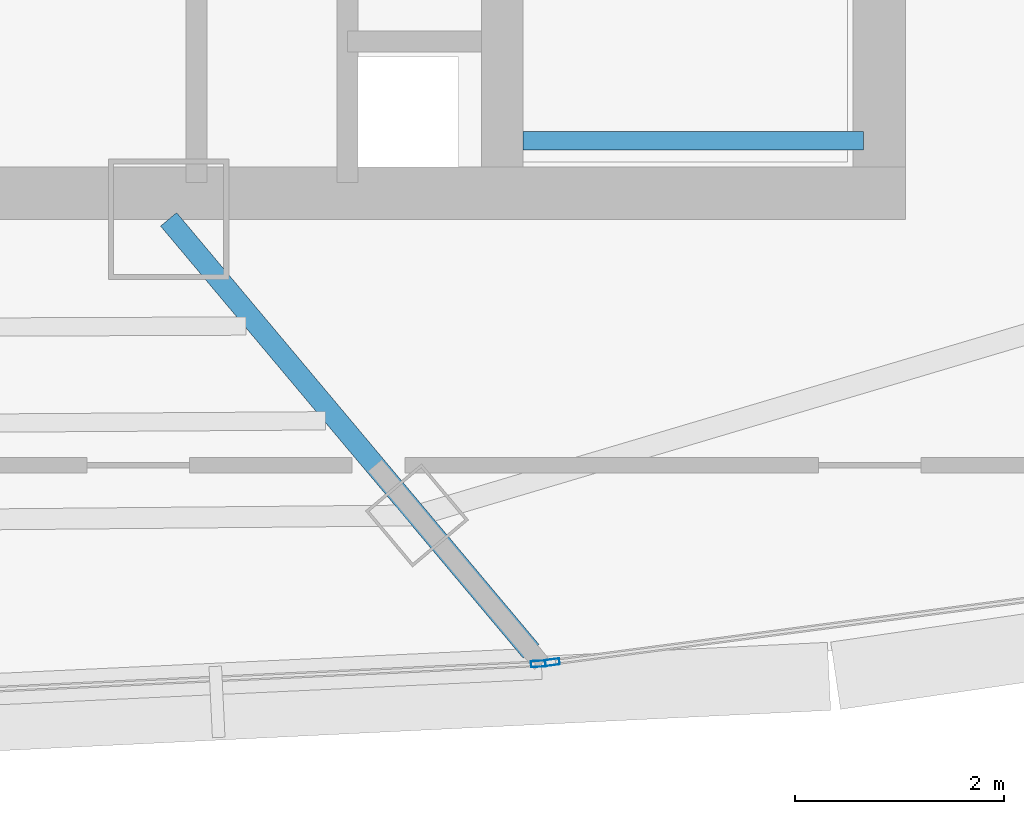
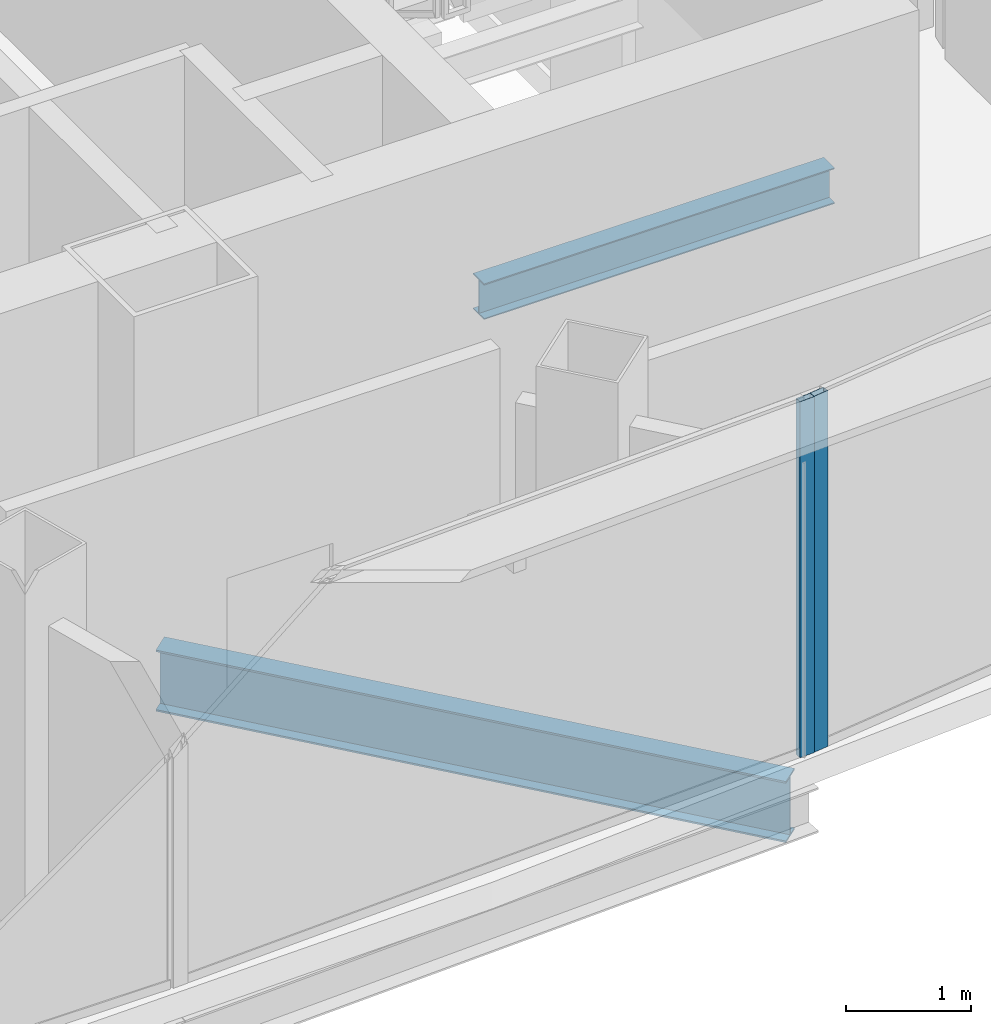
# One storey, part 10 of 29: 2 beams, 2 members, 2 elements without a shape of their own.
"""IFC4 building model written with IfcOpenShell, lengths in metres."""

import ifcopenshell
import ifcopenshell.guid

model = None  # the IFC model being written
_history = None  # IfcOwnerHistory: only IFC2X3 demands one
_inside = {}  # id of a spatial element -> (the spatial element, [elements in it])
_under = {}  # id of a project, library or spatial element -> (it, [spatial elements below it])
_declared = {}  # id of a project -> (the project, [libraries it declares])
_typed = {}  # id of a type object -> (the type object, [elements of that type])
_made_of = {}  # id of a material, layer set ... -> (it, [elements and type objects made of it])


def new_model(schema):
    """Start an empty IFC model of exactly this schema.

    Asked for "IFC4X3", IfcOpenShell would pick the latest addendum, in which some entities
    have other attributes; the version numbers below select the first issue.
    IFC2X3 requires an IfcOwnerHistory on every rooted entity: one is made here for all.
    """
    global model, _history
    if schema == "IFC4X3":
        model = ifcopenshell.file(schema_version=(4, 3, 0, 0))
    else:
        model = ifcopenshell.file(schema=schema)
    _inside.clear()
    _under.clear()
    _declared.clear()
    _typed.clear()
    _made_of.clear()
    _history = None
    if model.schema == "IFC2X3":
        org = make("IfcOrganization", Name="unknown")
        user = make(
            "IfcPersonAndOrganization",
            ThePerson=make("IfcPerson", FamilyName="unknown"),
            TheOrganization=org,
        )
        app = make(
            "IfcApplication",
            ApplicationDeveloper=org,
            Version="unknown",
            ApplicationFullName="unknown",
            ApplicationIdentifier="unknown",
        )
        _history = make(
            "IfcOwnerHistory",
            OwningUser=user,
            OwningApplication=app,
            ChangeAction="ADDED",
            CreationDate=0,
        )
    return model


def make(cls, **values):
    """One entity of the class cls with the attributes given. An attribute that is None is left unset."""
    return model.create_entity(
        cls, **{name: value for name, value in values.items() if value is not None}
    )


def rooted(cls, **values):
    """An entity with a GlobalId (a new one), such as an element, a storey or a relation."""
    return make(cls, GlobalId=ifcopenshell.guid.new(), OwnerHistory=_history, **values)


def si_unit(unit_type, name, prefix=None):
    """IfcSIUnit, for example si_unit("LENGTHUNIT", "METRE", prefix="MILLI")."""
    return make("IfcSIUnit", UnitType=unit_type, Prefix=prefix, Name=name)


def assignment(units):
    """IfcUnitAssignment: the units of a project."""
    return None if units is None else make("IfcUnitAssignment", Units=units)


def point(xyz):
    """IfcCartesianPoint."""
    return None if xyz is None else make("IfcCartesianPoint", Coordinates=xyz)


def direction(xyz):
    """IfcDirection."""
    return None if xyz is None else make("IfcDirection", DirectionRatios=xyz)


def frame(location, z_axis=None, x_axis=None):
    """IfcAxis2Placement3D, a coordinate frame: its origin and axes. An axis left out is left unset."""
    return make(
        "IfcAxis2Placement3D",
        Location=point(location),
        Axis=direction(z_axis),
        RefDirection=direction(x_axis),
    )


def frame_2d(location, x_axis=None):
    """IfcAxis2Placement2D, a coordinate frame in the plane: its origin and x axis."""
    return make(
        "IfcAxis2Placement2D", Location=point(location), RefDirection=direction(x_axis)
    )


def origin():
    """The frame at (0, 0, 0) with its axes left unset."""
    return frame((0.0, 0.0, 0.0))


def origin_2d():
    """The frame at (0, 0) in the plane with its x axis left unset."""
    return frame_2d((0.0, 0.0))


def place(relative_to, where):
    """IfcLocalPlacement: puts the frame where relative to a parent placement (None: the world)."""
    return make(
        "IfcLocalPlacement", PlacementRelTo=relative_to, RelativePlacement=where
    )


def context(
    kind, dimensions, precision=None, world=None, true_north=None, identifier=None
):
    """IfcGeometricRepresentationContext, for example the 3D "Model" context."""
    return make(
        "IfcGeometricRepresentationContext",
        ContextIdentifier=identifier,
        ContextType=kind,
        CoordinateSpaceDimension=dimensions,
        Precision=precision,
        WorldCoordinateSystem=world,
        TrueNorth=true_north,
    )


def subcontext(parent, identifier, kind, view, scale=None):
    """IfcGeometricRepresentationSubContext, for example "Body" below "Model"."""
    return make(
        "IfcGeometricRepresentationSubContext",
        ContextIdentifier=identifier,
        ContextType=kind,
        ParentContext=parent,
        TargetScale=scale,
        TargetView=view,
    )


def project(units=None, contexts=None):
    """IfcProject with its units and contexts."""
    return rooted(
        "IfcProject",
        Name="project",
        RepresentationContexts=contexts,
        UnitsInContext=assignment(units),
    )


def spatial(cls, under=None, at=None, **own):
    """A site, building, storey or space (cls), placed at a placement, below another one or the project."""
    s = rooted(cls, ObjectPlacement=at, **own)
    if under is not None:
        _under.setdefault(under.id(), (under, []))[1].append(s)
    return s


def profile(cls, at=None, kind="AREA", **sizes):
    """A parametric profile (cls). Its sizes go by their IFC names, for example OverallWidth=200.0."""
    return make(cls, ProfileType=kind, Position=at, **sizes)


def hollow_rectangle(**sizes):
    """IfcRectangleHollowProfileDef."""
    return profile("IfcRectangleHollowProfileDef", **sizes)


def i_section(**sizes):
    """IfcIShapeProfileDef."""
    return profile("IfcIShapeProfileDef", **sizes)


def extrude(swept, where, along, depth):
    """IfcExtrudedAreaSolid: the profile swept, set in the frame where, extruded along a direction by depth."""
    return make(
        "IfcExtrudedAreaSolid",
        SweptArea=swept,
        Position=where,
        ExtrudedDirection=direction(along),
        Depth=depth,
    )


def shape(context_of_items, identifier, shape_type, items):
    """IfcShapeRepresentation: the items that make up one representation, for example the "Body"."""
    return make(
        "IfcShapeRepresentation",
        ContextOfItems=context_of_items,
        RepresentationIdentifier=identifier,
        RepresentationType=shape_type,
        Items=items,
    )


def source(mapping_origin, context_of_items, identifier, shape_type, items):
    """IfcRepresentationMap: a shape defined once, which mapped items show again and again."""
    return make(
        "IfcRepresentationMap",
        MappingOrigin=mapping_origin,
        MappedRepresentation=shape(context_of_items, identifier, shape_type, items),
    )


def transform(
    local_origin,
    x_axis=None,
    y_axis=None,
    z_axis=None,
    scale=None,
    scale2=None,
    scale3=None,
    uniform=True,
):
    """IfcCartesianTransformationOperator3D, or its non-uniform kind. x_axis, y_axis, z_axis: its Axis1, 2, 3."""
    if uniform:
        return make(
            "IfcCartesianTransformationOperator3D",
            Axis1=direction(x_axis),
            Axis2=direction(y_axis),
            LocalOrigin=point(local_origin),
            Scale=scale,
            Axis3=direction(z_axis),
        )
    return make(
        "IfcCartesianTransformationOperator3DnonUniform",
        Axis1=direction(x_axis),
        Axis2=direction(y_axis),
        LocalOrigin=point(local_origin),
        Scale=scale,
        Axis3=direction(z_axis),
        Scale2=scale2,
        Scale3=scale3,
    )


def mapped(mapping_source, mapping_target):
    """IfcMappedItem: shows the shape of a source again, moved by a transform."""
    return make(
        "IfcMappedItem", MappingSource=mapping_source, MappingTarget=mapping_target
    )


def material(Name=None, Category=None):
    """IfcMaterial."""
    return make("IfcMaterial", Name=Name, Category=Category)


def layer(
    of_material, thickness, ventilated=None, Name=None, Category=None, Priority=None
):
    """IfcMaterialLayer: one layer of a wall or slab, of a material (None: an air gap)."""
    return make(
        "IfcMaterialLayer",
        Material=of_material,
        LayerThickness=thickness,
        IsVentilated=ventilated,
        Name=Name,
        Category=Category,
        Priority=Priority,
    )


def layer_set(layers, Name=None):
    """IfcMaterialLayerSet."""
    return make("IfcMaterialLayerSet", MaterialLayers=layers, LayerSetName=Name)


def material_profile(
    of_material, cross_section, Name=None, Category=None, Priority=None
):
    """IfcMaterialProfile: a cross section and its material."""
    return make(
        "IfcMaterialProfile",
        Name=Name,
        Material=of_material,
        Profile=cross_section,
        Priority=Priority,
        Category=Category,
    )


def profile_set(profiles, Name=None, composite=None):
    """IfcMaterialProfileSet."""
    return make(
        "IfcMaterialProfileSet",
        Name=Name,
        MaterialProfiles=profiles,
        CompositeProfile=composite,
    )


def made_of(thing, what):
    """Note that an element or type object is made of a material, layer set ...; save() writes the relation."""
    if what is not None:
        _made_of.setdefault(what.id(), (what, []))[1].append(thing)
    return thing


def type_object(cls, material=None, **own):
    """A type object (cls), such as IfcWallType, which elements share."""
    return made_of(rooted(cls, **own), material)


def element(
    cls,
    number,
    at=None,
    inside=None,
    cuts=None,
    type_object=None,
    material=None,
    context=None,
    identifier="Body",
    shape_type=None,
    held_by="IfcProductDefinitionShape",
    body=None,
    shapes=None,
    **own,
):
    """One element of the class cls, such as IfcWall. Its Tag is "e" and its number.

    at: its placement. inside: the storey or other place that contains it. cuts: it is an
    opening in that element (IfcRelVoidsElement). A single representation is given by context,
    identifier, shape_type and body (its items); several are given by shapes. held_by: the class
    of the entity that holds the representations. save() writes the other relations.
    """
    e = rooted(cls, Tag="e%d" % number, ObjectPlacement=at, **own)
    if body is not None:
        shapes = [shape(context, identifier, shape_type, body)]
    if shapes is not None:
        e.Representation = make(held_by, Representations=shapes)
    if inside is not None:
        _inside.setdefault(inside.id(), (inside, []))[1].append(e)
    if cuts is not None:
        rooted(
            "IfcRelVoidsElement", RelatingBuildingElement=cuts, RelatedOpeningElement=e
        )
    if type_object is not None:
        _typed.setdefault(type_object.id(), (type_object, []))[1].append(e)
    return made_of(e, material)


def aggregate(whole, parts):
    """IfcRelAggregates: a whole, such as a stair, and the parts it consists of."""
    return rooted("IfcRelAggregates", RelatingObject=whole, RelatedObjects=parts)


def save(model, path):
    """Write the relations noted so far, then the file.

    IfcRelAggregates (storeys below a building ...), IfcRelContainedInSpatialStructure (elements
    in a storey), IfcRelDefinesByType, IfcRelAssociatesMaterial and IfcRelDeclares: one each for
    every whole, place, type object, material and project.
    """
    for whole, parts in _under.values():
        aggregate(whole, parts)
    for where, things in _inside.values():
        rooted(
            "IfcRelContainedInSpatialStructure",
            RelatedElements=things,
            RelatingStructure=where,
        )
    for kind, things in _typed.values():
        rooted("IfcRelDefinesByType", RelatedObjects=things, RelatingType=kind)
    for what, things in _made_of.values():
        rooted("IfcRelAssociatesMaterial", RelatedObjects=things, RelatingMaterial=what)
    for by, libraries in _declared.values():
        rooted("IfcRelDeclares", RelatingContext=by, RelatedDefinitions=libraries)
    model.write(path)


model = new_model("IFC4")

# Units and contexts
model_context = context("Model", 3, precision=1e-05, world=origin(), true_north=direction((0.0, 1.0)))
body_context = subcontext(model_context, "Body", "Model", "MODEL_VIEW")
ifc_project = project(units=[si_unit("LENGTHUNIT", "METRE"), si_unit("AREAUNIT", "SQUARE_METRE"), si_unit("VOLUMEUNIT", "CUBIC_METRE"), si_unit("PLANEANGLEUNIT", "RADIAN"), si_unit("MASSUNIT", "GRAM", prefix="KILO"), si_unit("THERMODYNAMICTEMPERATUREUNIT", "KELVIN"), si_unit("POWERUNIT", "WATT")], contexts=[model_context])

# Site, building, storey
site_placement = place(None, origin())
site = spatial("IfcSite", under=ifc_project, at=site_placement, CompositionType="ELEMENT")
building_placement = place(site_placement, origin())
building = spatial("IfcBuilding", under=site, at=building_placement, Name="Yunzhuo Pagoda Commons", CompositionType="ELEMENT")
storey_placement = place(building_placement, frame((0.0, 0.0, 359.260009765625)))
storey = spatial("IfcBuildingStorey", under=building, at=storey_placement, Name="L90", CompositionType="ELEMENT", Elevation=359.260009765625)

# Beams
ifc_material_1 = material(Name="Structural steel Q355B", Category="steel")
ifc_material_profile_1 = material_profile(ifc_material_1, i_section(OverallWidth=0.175048828125, OverallDepth=0.35009765625, WebThickness=0.007080078125, FlangeThickness=0.010986328125, at=origin_2d()), Name="Structural steel Q355B")
ifc_profile_set_1 = profile_set([ifc_material_profile_1], Name="Structural steel Q355B")
beam_type_1 = type_object("IfcBeamType", Name="B-JS2 Joist HN 350x175x7x11", PredefinedType="JOIST", material=ifc_profile_set_1)
shared_shape_1 = source(origin(), body_context, "Body", "SweptSolid", [
    extrude(i_section(OverallWidth=0.175048828125, OverallDepth=0.35009765625, WebThickness=0.007080078125, FlangeThickness=0.010986328125, at=origin_2d()), origin(), (0.0, 0.0, 1.0), 3.25),
])
beam_1_placement = place(storey_placement, frame((56.800048828125, 28.0, 1.5), z_axis=(1.0, 0.0, 0.0), x_axis=(0.0, 1.0, 0.0)))
element("IfcBeam", 1, at=beam_1_placement, inside=storey, type_object=beam_type_1, Name="L90 ST2 landing support beam 96A", PredefinedType="JOIST", context=body_context, shape_type="MappedRepresentation", body=[
    mapped(shared_shape_1, transform((0.0, 0.0, 0.0), scale=1.0)),
])
ifc_material_profile_2 = material_profile(ifc_material_1, i_section(OverallWidth=0.199951171875, OverallDepth=0.60009765625, WebThickness=0.010986328125, FlangeThickness=0.01708984375, at=origin_2d()), Name="Structural steel Q355B")
ifc_profile_set_2 = profile_set([ifc_material_profile_2], Name="Structural steel Q355B")
beam_type_2 = type_object("IfcBeamType", Name="B-RG3 Beam HN 600x200x11x17", PredefinedType="BEAM", material=ifc_profile_set_2)
shared_shape_2 = source(origin(), body_context, "Body", "SweptSolid", [
    extrude(i_section(OverallWidth=0.199951171875, OverallDepth=0.60009765625, WebThickness=0.010986328125, FlangeThickness=0.01708984375, at=origin_2d()), origin(), (0.0, 0.0, 1.0), 5.385986328125),
])
beam_2_placement = place(storey_placement, frame((56.874267578125, 23.124267578125, -0.56005859375), z_axis=(-0.642815681487, 0.766020887205, 0.0), x_axis=(-0.766020887205, -0.642815681487, 0.0)))
element("IfcBeam", 2, at=beam_2_placement, inside=storey, type_object=beam_type_2, Name="L90 radial floor girder F1C4", PredefinedType="BEAM", context=body_context, shape_type="MappedRepresentation", body=[
    mapped(shared_shape_2, transform((0.0, 0.0, 0.0), scale=1.0)),
])

# Curtain wall, member
ifc_material_2 = material(Name="Anodized aluminium 6063-T6", Category="aluminium")
ifc_layer = layer(ifc_material_2, 0.139892578125)
ifc_layer_set = layer_set([ifc_layer], Name="Anodized aluminium 6063-T6")
curtain_wall_type = type_object("IfcCurtainWallType", Name="CW-HI High-Zone Ribbon Curtain Wall", PredefinedType="NOTDEFINED", material=ifc_layer_set)
curtain_wall_1_placement = place(storey_placement, origin())
curtain_wall_1 = element("IfcCurtainWall", 3, at=curtain_wall_1_placement, inside=storey, type_object=curtain_wall_type, Name="L90 curtain wall CW-L90-F1B4", PredefinedType="NOTDEFINED")
ifc_material_profile_3 = material_profile(ifc_material_2, hollow_rectangle(XDim=0.06005859375, YDim=0.139892578125, WallThickness=0.00341796875, at=origin_2d()), Name="Anodized aluminium 6063-T6")
ifc_profile_set_3 = profile_set([ifc_material_profile_3], Name="Anodized aluminium 6063-T6")
member_type = type_object("IfcMemberType", Name="CW-HI-M Mullion RHS 140x60x3.5", PredefinedType="MULLION", material=ifc_profile_set_3)
shared_shape_3 = source(origin(), body_context, "Body", "SweptSolid", [
    extrude(hollow_rectangle(XDim=0.06005859375, YDim=0.139892578125, WallThickness=0.00341796875, at=origin_2d()), origin(), (0.0, 0.0, 1.0), 3.489990234375),
])
member_1_placement = place(storey_placement, frame((56.94384765625, 23.00390625, 0.0), z_axis=(0.0, 0.0, 1.0), x_axis=(-0.046711544825, 0.998908420017, 0.0)))
member_1 = element("IfcMember", 4, at=member_1_placement, type_object=member_type, Name="CW mullion 2", PredefinedType="MULLION", context=body_context, shape_type="MappedRepresentation", body=[
    mapped(shared_shape_3, transform((0.0, 0.0, 0.0), scale=1.0)),
])
aggregate(curtain_wall_1, [member_1])

curtain_wall_2_placement = place(storey_placement, origin())
curtain_wall_2 = element("IfcCurtainWall", 5, at=curtain_wall_2_placement, inside=storey, type_object=curtain_wall_type, Name="L90 curtain wall CW-L90-F1B5", PredefinedType="NOTDEFINED")
member_2_placement = place(storey_placement, frame((57.077880859375, 23.01904296875, 0.0), z_axis=(0.0, 0.0, 1.0), x_axis=(-0.130505551679, 0.991447578534, 0.0)))
member_2 = element("IfcMember", 6, at=member_2_placement, type_object=member_type, Name="CW mullion 1", PredefinedType="MULLION", context=body_context, shape_type="MappedRepresentation", body=[
    mapped(shared_shape_3, transform((0.0, 0.0, 0.0), scale=1.0)),
])
aggregate(curtain_wall_2, [member_2])

save(model, "model.ifc")
